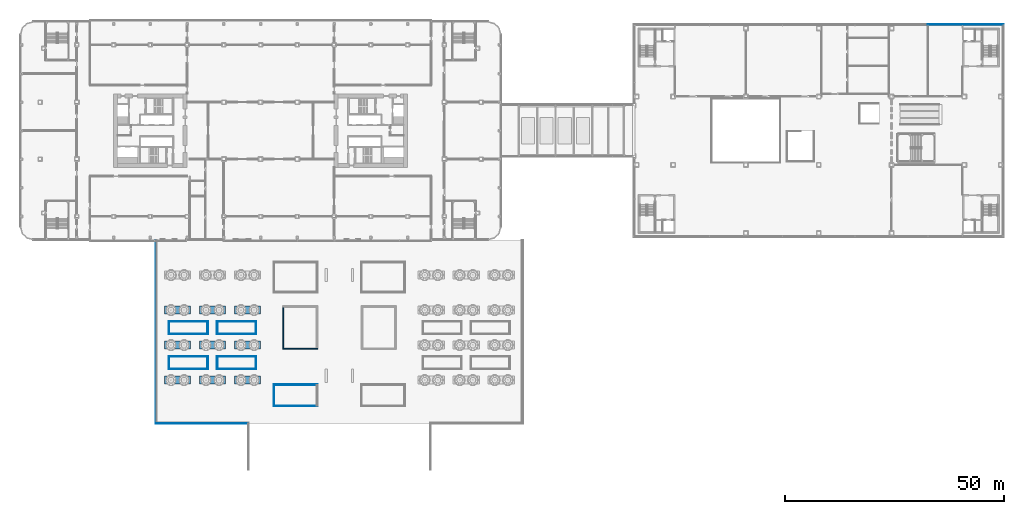
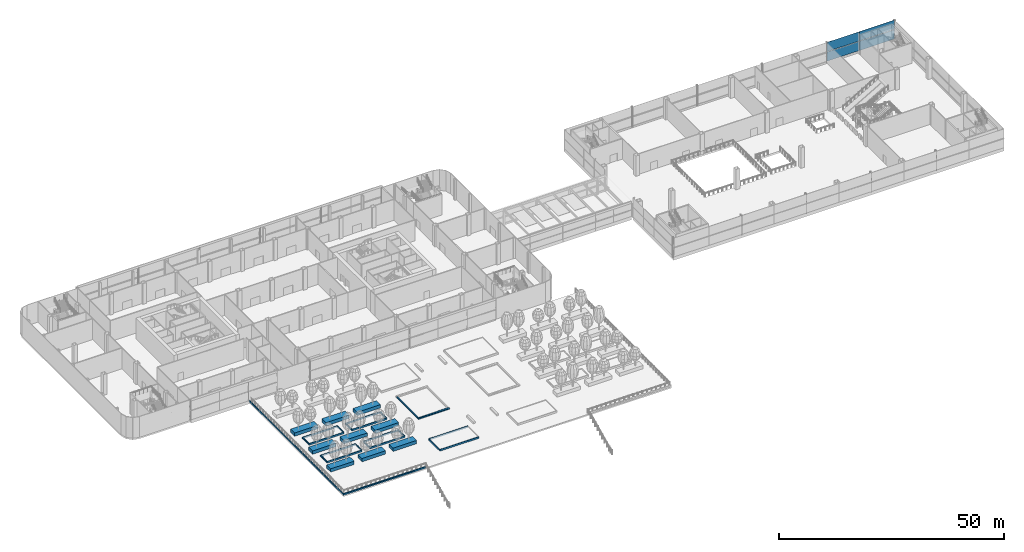
# One storey, part 29 of 100: 32 walls, 4 plates, 1 element without a shape of its own.
"""IFC4 building model written with IfcOpenShell, lengths in metres."""

from ifc_helpers import new_model, si_unit, direction, frame, frame_2d, origin, origin_2d, place, context, subcontext, project, spatial, rectangle, extrude, material, layer, layer_set, type_object, element, aggregate, save


model = new_model("IFC4")

# Units and contexts
model_context = context("Model", 3, precision=1e-05, world=origin(), true_north=direction((0.0, 1.0)))
body_context = subcontext(model_context, "Body", "Model", "MODEL_VIEW")
ifc_project = project(units=[si_unit("LENGTHUNIT", "METRE"), si_unit("AREAUNIT", "SQUARE_METRE"), si_unit("VOLUMEUNIT", "CUBIC_METRE"), si_unit("PLANEANGLEUNIT", "RADIAN"), si_unit("MASSUNIT", "GRAM", prefix="KILO")], contexts=[model_context])

# Site, building, storey
site_placement = place(None, origin())
site = spatial("IfcSite", under=ifc_project, at=site_placement, CompositionType="ELEMENT")
building_placement = place(site_placement, origin())
building = spatial("IfcBuilding", under=site, at=building_placement, Name="Hakoniwa Tower and Hamabe Station Hall", CompositionType="ELEMENT")
storey_placement = place(building_placement, frame((0.0, 0.0, 9.0)))
storey = spatial("IfcBuildingStorey", under=building, at=storey_placement, Name="L02", CompositionType="ELEMENT", Elevation=9.0)

# Curtain wall, plates
ifc_material_1 = material(Name="Dark low-e laminated glass", Category="glass")
ifc_layer_1 = layer(ifc_material_1, 0.199951171875)
ifc_layer_set_1 = layer_set([ifc_layer_1], Name="CW-7 STATION")
curtain_wall_type = type_object("IfcCurtainWallType", Name="CW-7 STATION", PredefinedType="NOTDEFINED", material=ifc_layer_set_1)
curtain_wall_placement = place(storey_placement, origin())
curtain_wall = element("IfcCurtainWall", 1, at=curtain_wall_placement, inside=storey, type_object=curtain_wall_type, Name="Station curtain wall L02 north", PredefinedType="NOTDEFINED")
ifc_material_2 = material(Name="Dark low-e laminated glass", Category="glass")
ifc_layer_2 = layer(ifc_material_2, 0.0400390625)
ifc_layer_set_2 = layer_set([ifc_layer_2], Name="CW-7 STATION GLASS UNIT")
plate_type = type_object("IfcPlateType", Name="CW-7 STATION GLASS UNIT", PredefinedType="CURTAIN_PANEL", material=ifc_layer_set_2)
plate_1_placement = place(storey_placement, frame((165.340087890625, 24.285888671875, 0.35009765625), z_axis=(0.0, 0.0, 1.0), x_axis=(-1.0, 0.0, 0.0)))
plate_1 = element("IfcPlate", 2, at=plate_1_placement, type_object=plate_type, Name="CW-7 glass unit", PredefinedType="CURTAIN_PANEL", context=body_context, shape_type="SweptSolid", body=[
    extrude(rectangle(XDim=9.0, YDim=0.0400390625, at=origin_2d()), origin(), (0.0, 0.0, 1.0), 2.489990234375),
])
plate_2_placement = place(storey_placement, frame((165.340087890625, 24.285888671875, 2.9599609375), z_axis=(0.0, 0.0, 1.0), x_axis=(-1.0, 0.0, 0.0)))
plate_2 = element("IfcPlate", 3, at=plate_2_placement, type_object=plate_type, Name="CW-7 glass unit", PredefinedType="CURTAIN_PANEL", context=body_context, shape_type="SweptSolid", body=[
    extrude(rectangle(XDim=9.0, YDim=0.0400390625, at=origin_2d()), origin(), (0.0, 0.0, 1.0), 2.489990234375),
])
plate_3_placement = place(storey_placement, frame((156.669921875, 24.285888671875, 0.35009765625), z_axis=(0.0, 0.0, 1.0), x_axis=(-1.0, 0.0, 0.0)))
plate_3 = element("IfcPlate", 4, at=plate_3_placement, type_object=plate_type, Name="CW-7 glass unit", PredefinedType="CURTAIN_PANEL", context=body_context, shape_type="SweptSolid", body=[
    extrude(rectangle(XDim=8.300048828125, YDim=0.0400390625, at=origin_2d()), origin(), (0.0, 0.0, 1.0), 2.489990234375),
])
plate_4_placement = place(storey_placement, frame((156.669921875, 24.285888671875, 2.9599609375), z_axis=(0.0, 0.0, 1.0), x_axis=(-1.0, 0.0, 0.0)))
plate_4 = element("IfcPlate", 5, at=plate_4_placement, type_object=plate_type, Name="CW-7 glass unit", PredefinedType="CURTAIN_PANEL", context=body_context, shape_type="SweptSolid", body=[
    extrude(rectangle(XDim=8.300048828125, YDim=0.0400390625, at=origin_2d()), origin(), (0.0, 0.0, 1.0), 2.489990234375),
])
aggregate(curtain_wall, [plate_1, plate_2, plate_3, plate_4])

# Walls
ifc_material_3 = material(Name="Concrete C30", Category="concrete")
ifc_layer_3 = layer(ifc_material_3, 0.300048828125)
ifc_layer_set_3 = layer_set([ifc_layer_3], Name="DECK BASIN WALL 300X300")
wall_type_1 = type_object("IfcWallType", Name="DECK BASIN WALL 300X300", PredefinedType="STANDARD", material=ifc_layer_set_3)
wall_1_placement = place(storey_placement, frame((5.0, -49.85009765625, 0.0), z_axis=(0.0, 0.0, 1.0), x_axis=(1.0, 0.0, 0.0)))
element("IfcWall", 6, at=wall_1_placement, inside=storey, type_object=wall_type_1, Name="Water feature 1 wall 1", PredefinedType="STANDARD", context=body_context, shape_type="SweptSolid", body=[
    extrude(rectangle(XDim=8.0, YDim=0.300048828125, at=frame_2d((4.0, 0.0))), origin(), (0.0, 0.0, 1.0), 0.300048828125),
])
wall_2_placement = place(storey_placement, frame((5.14990234375, -49.699951171875, 0.0), z_axis=(0.0, 0.0, 1.0), x_axis=(0.0, 1.0, 0.0)))
element("IfcWall", 7, at=wall_2_placement, inside=storey, type_object=wall_type_1, Name="Water feature 1 wall 3", PredefinedType="STANDARD", context=body_context, shape_type="SweptSolid", body=[
    extrude(rectangle(XDim=9.39990234375, YDim=0.300048828125, at=frame_2d((4.699951171875, 0.0))), origin(), (0.0, 0.0, 1.0), 0.300048828125),
])
ifc_material_4 = material(Name="Concrete C30", Category="concrete")
ifc_layer_4 = layer(ifc_material_4, 0.14990234375)
ifc_layer_set_4 = layer_set([ifc_layer_4], Name="DECK BED KERB 150X450")
wall_type_2 = type_object("IfcWallType", Name="DECK BED KERB 150X450", PredefinedType="STANDARD", material=ifc_layer_set_4)
for number, where, z_axis, x_axis, name in (
    (8, (3.0, -62.925048828125, 0.0), (0.0, 0.0, 1.0), (1.0, 0.0, 0.0), "Planting bed 01 kerb 1"),
    (9, (3.0, -58.074951171875, 0.0), (0.0, 0.0, 1.0), (1.0, 0.0, 0.0), "Planting bed 01 kerb 2"),
):
    element("IfcWall", number, at=place(storey_placement, frame(where, z_axis=z_axis, x_axis=x_axis)), inside=storey, type_object=wall_type_2, Name=name, PredefinedType="STANDARD", context=body_context, shape_type="SweptSolid", body=[
        extrude(rectangle(XDim=10.0, YDim=0.14990234375, at=frame_2d((5.0, 0.0))), origin(), (0.0, 0.0, 1.0), 0.449951171875),
    ])
wall_3_placement = place(storey_placement, frame((3.074951171875, -62.85009765625, 0.0), z_axis=(0.0, 0.0, 1.0), x_axis=(0.0, 1.0, 0.0)))
element("IfcWall", 10, at=wall_3_placement, inside=storey, type_object=wall_type_2, Name="Planting bed 01 kerb 3", PredefinedType="STANDARD", context=body_context, shape_type="SweptSolid", body=[
    extrude(rectangle(XDim=4.7001953125, YDim=0.14990234375, at=frame_2d((2.35009765625, 0.0))), origin(), (0.0, 0.0, 1.0), 0.449951171875),
])
for number, where, z_axis, x_axis, name in (
    (11, (-21.0, -54.425048828125, 0.0), (0.0, 0.0, 1.0), (1.0, 0.0, 0.0), "Planting bed 05 kerb 1"),
    (12, (-21.0, -51.574951171875, 0.0), (0.0, 0.0, 1.0), (1.0, 0.0, 0.0), "Planting bed 05 kerb 2"),
):
    element("IfcWall", number, at=place(storey_placement, frame(where, z_axis=z_axis, x_axis=x_axis)), inside=storey, type_object=wall_type_2, Name=name, PredefinedType="STANDARD", context=body_context, shape_type="SweptSolid", body=[
        extrude(rectangle(XDim=9.0, YDim=0.14990234375, at=frame_2d((4.5, 0.0))), origin(), (0.0, 0.0, 1.0), 0.449951171875),
    ])
for number, where, z_axis, x_axis, name in (
    (13, (-20.925048828125, -54.35009765625, 0.0), (0.0, 0.0, 1.0), (0.0, 1.0, 0.0), "Planting bed 05 kerb 3"),
    (14, (-12.074951171875, -54.35009765625, 0.0), (0.0, 0.0, 1.0), (0.0, 1.0, 0.0), "Planting bed 05 kerb 4"),
):
    element("IfcWall", number, at=place(storey_placement, frame(where, z_axis=z_axis, x_axis=x_axis)), inside=storey, type_object=wall_type_2, Name=name, PredefinedType="STANDARD", context=body_context, shape_type="SweptSolid", body=[
        extrude(rectangle(XDim=2.7001953125, YDim=0.14990234375, at=frame_2d((1.35009765625, 0.0))), origin(), (0.0, 0.0, 1.0), 0.449951171875),
    ])
for number, where, z_axis, x_axis, name in (
    (15, (-10.0, -54.425048828125, 0.0), (0.0, 0.0, 1.0), (1.0, 0.0, 0.0), "Planting bed 07 kerb 1"),
    (16, (-10.0, -51.574951171875, 0.0), (0.0, 0.0, 1.0), (1.0, 0.0, 0.0), "Planting bed 07 kerb 2"),
):
    element("IfcWall", number, at=place(storey_placement, frame(where, z_axis=z_axis, x_axis=x_axis)), inside=storey, type_object=wall_type_2, Name=name, PredefinedType="STANDARD", context=body_context, shape_type="SweptSolid", body=[
        extrude(rectangle(XDim=9.0, YDim=0.14990234375, at=frame_2d((4.5, 0.0))), origin(), (0.0, 0.0, 1.0), 0.449951171875),
    ])
for number, where, z_axis, x_axis, name in (
    (17, (-9.925048828125, -54.35009765625, 0.0), (0.0, 0.0, 1.0), (0.0, 1.0, 0.0), "Planting bed 07 kerb 3"),
    (18, (-1.074951171875, -54.35009765625, 0.0), (0.0, 0.0, 1.0), (0.0, 1.0, 0.0), "Planting bed 07 kerb 4"),
):
    element("IfcWall", number, at=place(storey_placement, frame(where, z_axis=z_axis, x_axis=x_axis)), inside=storey, type_object=wall_type_2, Name=name, PredefinedType="STANDARD", context=body_context, shape_type="SweptSolid", body=[
        extrude(rectangle(XDim=2.7001953125, YDim=0.14990234375, at=frame_2d((1.35009765625, 0.0))), origin(), (0.0, 0.0, 1.0), 0.449951171875),
    ])
for number, where, z_axis, x_axis, name in (
    (19, (-21.0, -46.425048828125, 0.0), (0.0, 0.0, 1.0), (1.0, 0.0, 0.0), "Planting bed 09 kerb 1"),
    (20, (-21.0, -43.574951171875, 0.0), (0.0, 0.0, 1.0), (1.0, 0.0, 0.0), "Planting bed 09 kerb 2"),
):
    element("IfcWall", number, at=place(storey_placement, frame(where, z_axis=z_axis, x_axis=x_axis)), inside=storey, type_object=wall_type_2, Name=name, PredefinedType="STANDARD", context=body_context, shape_type="SweptSolid", body=[
        extrude(rectangle(XDim=9.0, YDim=0.14990234375, at=frame_2d((4.5, 0.0))), origin(), (0.0, 0.0, 1.0), 0.449951171875),
    ])
for number, where, z_axis, x_axis, name in (
    (21, (-20.925048828125, -46.35009765625, 0.0), (0.0, 0.0, 1.0), (0.0, 1.0, 0.0), "Planting bed 09 kerb 3"),
    (22, (-12.074951171875, -46.35009765625, 0.0), (0.0, 0.0, 1.0), (0.0, 1.0, 0.0), "Planting bed 09 kerb 4"),
):
    element("IfcWall", number, at=place(storey_placement, frame(where, z_axis=z_axis, x_axis=x_axis)), inside=storey, type_object=wall_type_2, Name=name, PredefinedType="STANDARD", context=body_context, shape_type="SweptSolid", body=[
        extrude(rectangle(XDim=2.7001953125, YDim=0.14990234375, at=frame_2d((1.35009765625, 0.0))), origin(), (0.0, 0.0, 1.0), 0.449951171875),
    ])
for number, where, z_axis, x_axis, name in (
    (23, (-10.0, -46.425048828125, 0.0), (0.0, 0.0, 1.0), (1.0, 0.0, 0.0), "Planting bed 11 kerb 1"),
    (24, (-10.0, -43.574951171875, 0.0), (0.0, 0.0, 1.0), (1.0, 0.0, 0.0), "Planting bed 11 kerb 2"),
):
    element("IfcWall", number, at=place(storey_placement, frame(where, z_axis=z_axis, x_axis=x_axis)), inside=storey, type_object=wall_type_2, Name=name, PredefinedType="STANDARD", context=body_context, shape_type="SweptSolid", body=[
        extrude(rectangle(XDim=9.0, YDim=0.14990234375, at=frame_2d((4.5, 0.0))), origin(), (0.0, 0.0, 1.0), 0.449951171875),
    ])
for number, where, z_axis, x_axis, name in (
    (25, (-9.925048828125, -46.35009765625, 0.0), (0.0, 0.0, 1.0), (0.0, 1.0, 0.0), "Planting bed 11 kerb 3"),
    (26, (-1.074951171875, -46.35009765625, 0.0), (0.0, 0.0, 1.0), (0.0, 1.0, 0.0), "Planting bed 11 kerb 4"),
):
    element("IfcWall", number, at=place(storey_placement, frame(where, z_axis=z_axis, x_axis=x_axis)), inside=storey, type_object=wall_type_2, Name=name, PredefinedType="STANDARD", context=body_context, shape_type="SweptSolid", body=[
        extrude(rectangle(XDim=2.7001953125, YDim=0.14990234375, at=frame_2d((1.35009765625, 0.0))), origin(), (0.0, 0.0, 1.0), 0.449951171875),
    ])
ifc_material_5 = material(Name="Concrete C30", Category="concrete")
ifc_layer_5 = layer(ifc_material_5, 0.14990234375)
ifc_layer_set_5 = layer_set([ifc_layer_5], Name="DECK EDGE CURB 150X350")
wall_type_3 = type_object("IfcWallType", Name="DECK EDGE CURB 150X350", PredefinedType="STANDARD", material=ifc_layer_set_5)
wall_4_placement = place(storey_placement, frame((-23.925048828125, -67.0, -0.06005859375), z_axis=(0.0, 0.0, 1.0), x_axis=(0.0, 1.0, 0.0)))
element("IfcWall", 27, at=wall_4_placement, inside=storey, type_object=wall_type_3, Name="Deck edge curb west", PredefinedType="STANDARD", context=body_context, shape_type="SweptSolid", body=[
    extrude(rectangle(XDim=42.0, YDim=0.14990234375, at=frame_2d((21.0, 0.0))), origin(), (0.0, 0.0, 1.0), 0.41015625),
])
wall_5_placement = place(storey_placement, frame((-24.0, -66.925048828125, -0.06005859375), z_axis=(0.0, 0.0, 1.0), x_axis=(1.0, 0.0, 0.0)))
element("IfcWall", 28, at=wall_5_placement, inside=storey, type_object=wall_type_3, Name="Deck edge curb south w", PredefinedType="STANDARD", context=body_context, shape_type="SweptSolid", body=[
    extrude(rectangle(XDim=21.0, YDim=0.14990234375, at=frame_2d((10.5, 0.0))), origin(), (0.0, 0.0, 1.0), 0.41015625),
])
ifc_material_6 = material(Name="Concrete C30", Category="concrete")
ifc_layer_6 = layer(ifc_material_6, 1.800048828125)
ifc_layer_set_6 = layer_set([ifc_layer_6], Name="DECK PLANTER 1800 WIDE 900 DEEP")
wall_type_4 = type_object("IfcWallType", Name="DECK PLANTER 1800 WIDE 900 DEEP", PredefinedType="STANDARD", material=ifc_layer_set_6)
for number, where, z_axis, x_axis, name in (
    (29, (-22.0, -57.0, 0.0), (0.0, 0.0, 1.0), (1.0, 0.0, 0.0), "Planter 01"),
    (30, (-14.0, -57.0, 0.0), (0.0, 0.0, 1.0), (1.0, 0.0, 0.0), "Planter 02"),
    (31, (-6.0, -57.0, 0.0), (0.0, 0.0, 1.0), (1.0, 0.0, 0.0), "Planter 03"),
    (32, (-22.0, -49.0, 0.0), (0.0, 0.0, 1.0), (1.0, 0.0, 0.0), "Planter 07"),
    (33, (-14.0, -49.0, 0.0), (0.0, 0.0, 1.0), (1.0, 0.0, 0.0), "Planter 08"),
    (34, (-6.0, -49.0, 0.0), (0.0, 0.0, 1.0), (1.0, 0.0, 0.0), "Planter 09"),
    (35, (-22.0, -41.0, 0.0), (0.0, 0.0, 1.0), (1.0, 0.0, 0.0), "Planter 13"),
    (36, (-14.0, -41.0, 0.0), (0.0, 0.0, 1.0), (1.0, 0.0, 0.0), "Planter 14"),
    (37, (-6.0, -41.0, 0.0), (0.0, 0.0, 1.0), (1.0, 0.0, 0.0), "Planter 15"),
):
    element("IfcWall", number, at=place(storey_placement, frame(where, z_axis=z_axis, x_axis=x_axis)), inside=storey, type_object=wall_type_4, Name=name, PredefinedType="STANDARD", context=body_context, shape_type="SweptSolid", body=[
        extrude(rectangle(XDim=6.0, YDim=1.800048828125, at=frame_2d((3.0, 0.0))), origin(), (0.0, 0.0, 1.0), 0.89990234375),
    ])

save(model, "model.ifc")
